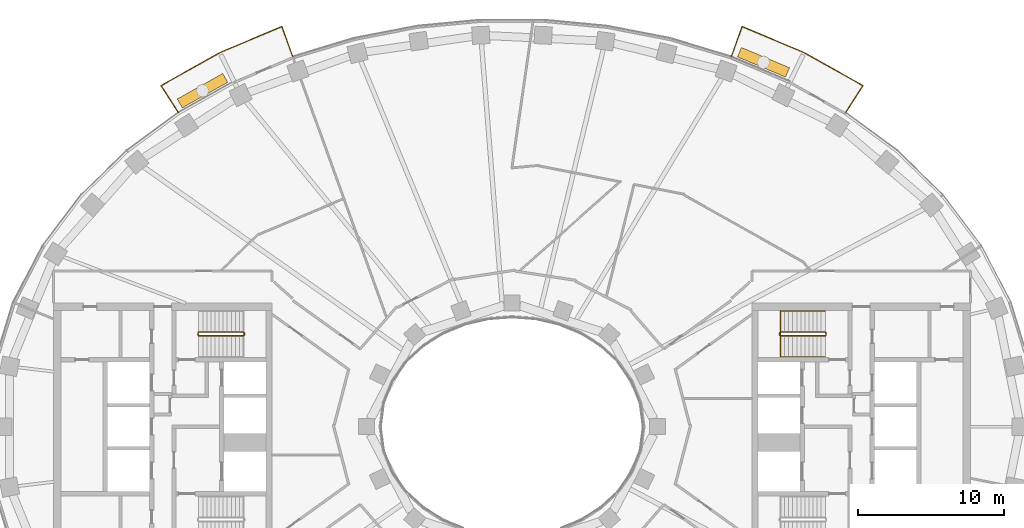
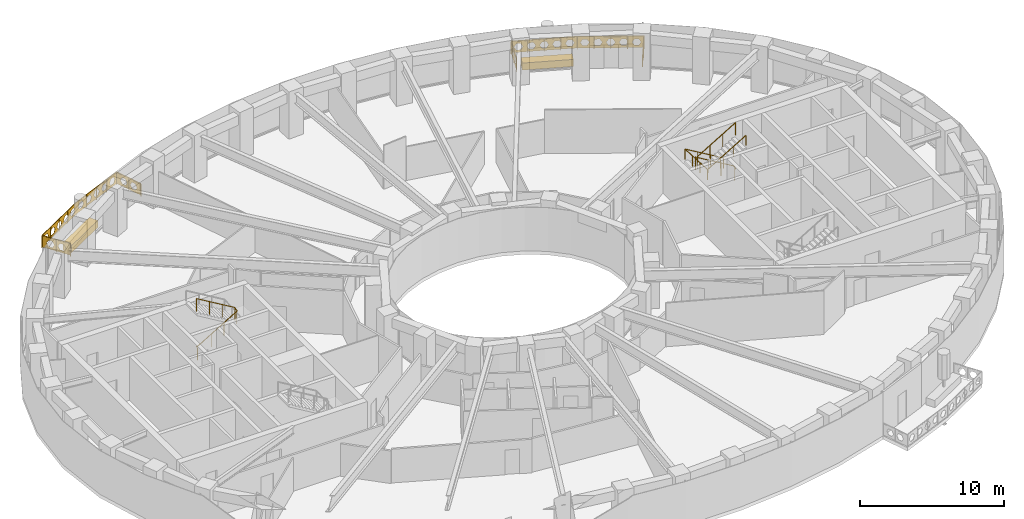
# One storey, part 14 of 15: 5 railings, 2 coverings.
"""IFC4 building model written with IfcOpenShell, lengths in metres."""

from ifc_helpers import new_model, si_unit, direction, frame, origin, origin_2d, place, context, subcontext, project, spatial, polyline, rectangle, outline, extrude, material, type_object, element, save


model = new_model("IFC4")

# Units and contexts
model_context = context("Model", 3, precision=1e-05, world=origin(), true_north=direction((0.0, 1.0)))
body_context = subcontext(model_context, "Body", "Model", "MODEL_VIEW")
ifc_project = project(units=[si_unit("LENGTHUNIT", "METRE"), si_unit("AREAUNIT", "SQUARE_METRE"), si_unit("VOLUMEUNIT", "CUBIC_METRE"), si_unit("PLANEANGLEUNIT", "RADIAN"), si_unit("MASSUNIT", "GRAM", prefix="KILO")], contexts=[model_context])

# Site, building, storey
site_placement = place(None, origin())
site = spatial("IfcSite", under=ifc_project, at=site_placement, CompositionType="ELEMENT")
building_placement = place(site_placement, origin())
building = spatial("IfcBuilding", under=site, at=building_placement, Name="Noorbagh Ring Tower", CompositionType="ELEMENT")
storey_placement = place(building_placement, frame((0.0, 0.0, 170.0)))
storey = spatial("IfcBuildingStorey", under=building, at=storey_placement, Name="L39", CompositionType="ELEMENT", Elevation=170.0)

# Railings
ifc_material_1 = material(Name="Stainless steel", Category="steel")
railing_type_1 = type_object("IfcRailingType", Name="CORE-STAIR-GUARD", PredefinedType="GUARDRAIL", material=ifc_material_1)
railing_1_placement = place(storey_placement, frame((-21.580078125, 6.300048828125, 0.0)))
element("IfcRailing", 1, at=railing_1_placement, inside=storey, type_object=railing_type_1, Name="L39 ST1 stair guard", PredefinedType="GUARDRAIL", context=body_context, shape_type="SweptSolid", body=[
    extrude(rectangle(XDim=0.048095703125, YDim=0.048095703125, at=origin_2d()), frame((0.0, 0.0, 1.076171875), z_axis=(0.0, 1.0, 0.0), x_axis=(-1.0, 0.0, 0.0)), (0.0, 0.0, 1.0), 0.14990234375),
    extrude(rectangle(XDim=0.048095703125, YDim=0.048095703125, at=origin_2d()), frame((0.0, 0.14990234375, 1.076171875), z_axis=(0.188775798145, -0.754182335027, 0.628945707965), x_axis=(0.970072785993, 0.242814311512, 0.0)), (0.0, 0.0, 1.0), 0.26513671875),
    extrude(rectangle(XDim=0.048095703125, YDim=0.048095703125, at=origin_2d()), frame((0.050048828125, -0.050048828125, 1.24267578125), z_axis=(0.859308565015, 0.0, 0.511457515432), x_axis=(0.0, 1.0, 0.0)), (0.0, 0.0, 1.0), 3.58447265625),
    extrude(rectangle(XDim=0.048095703125, YDim=0.048095703125, at=origin_2d()), frame((3.130126953125, -0.050048828125, 3.076171875), z_axis=(0.707106781187, 0.707106781187, 0.0), x_axis=(-0.707106781187, 0.707106781187, 0.0)), (0.0, 0.0, 1.0), 0.07080078125),
    extrude(rectangle(XDim=0.048095703125, YDim=0.048095703125, at=origin_2d()), frame((3.18017578125, 0.0, 3.076171875), z_axis=(0.0, 1.0, 0.0), x_axis=(-1.0, 0.0, 0.0)), (0.0, 0.0, 1.0), 0.14990234375),
    extrude(rectangle(XDim=0.048095703125, YDim=0.048095703125, at=origin_2d()), frame((3.18017578125, 0.14990234375, 3.076171875), z_axis=(-0.27628659633, 0.27628659633, 0.920506074601), x_axis=(-0.707106781187, -0.707106781187, 0.0)), (0.0, 0.0, 1.0), 0.18115234375),
    extrude(rectangle(XDim=0.048095703125, YDim=0.048095703125, at=origin_2d()), frame((3.130126953125, 0.199951171875, 3.24267578125), z_axis=(-0.859308565015, 0.0, 0.511457515432), x_axis=(0.0, -1.0, 0.0)), (0.0, 0.0, 1.0), 3.58447265625),
    extrude(rectangle(XDim=0.0419921875, YDim=0.0419921875, at=origin_2d()), origin(), (0.0, 0.0, 1.0), 1.052001953125),
    extrude(rectangle(XDim=0.0419921875, YDim=0.0419921875, at=origin_2d()), frame((1.07666015625, -0.050048828125, 0.77783203125)), (0.0, 0.0, 1.0), 1.052001953125),
    extrude(rectangle(XDim=0.0419921875, YDim=0.0419921875, at=origin_2d()), frame((2.103515625, -0.050048828125, 1.388916015625)), (0.0, 0.0, 1.0), 1.052001953125),
    extrude(rectangle(XDim=0.0419921875, YDim=0.0419921875, at=origin_2d()), frame((3.130126953125, -0.050048828125, 2.0)), (0.0, 0.0, 1.0), 1.052001953125),
    extrude(rectangle(XDim=0.0419921875, YDim=0.0419921875, at=origin_2d()), frame((3.130126953125, 0.199951171875, 2.166748046875)), (0.0, 0.0, 1.0), 1.052001953125),
    extrude(rectangle(XDim=0.0419921875, YDim=0.0419921875, at=origin_2d()), frame((2.103515625, 0.199951171875, 2.77783203125)), (0.0, 0.0, 1.0), 1.052001953125),
    extrude(rectangle(XDim=0.0419921875, YDim=0.0419921875, at=origin_2d()), frame((1.07666015625, 0.199951171875, 3.388916015625)), (0.0, 0.0, 1.0), 1.052001953125),
    extrude(rectangle(XDim=0.0419921875, YDim=0.0419921875, at=origin_2d()), frame((0.050048828125, 0.199951171875, 4.0)), (0.0, 0.0, 1.0), 1.052001953125),
])
railing_2_placement = place(storey_placement, frame((21.580078125, 6.449951171875, 0.0)))
element("IfcRailing", 2, at=railing_2_placement, inside=storey, type_object=railing_type_1, Name="L39 ST3 stair guard", PredefinedType="GUARDRAIL", context=body_context, shape_type="SweptSolid", body=[
    extrude(rectangle(XDim=0.048095703125, YDim=0.048095703125, at=origin_2d()), frame((0.0, 0.0, 1.076171875), z_axis=(0.0, -1.0, 0.0), x_axis=(1.0, 0.0, 0.0)), (0.0, 0.0, 1.0), 0.14990234375),
    extrude(rectangle(XDim=0.048095703125, YDim=0.048095703125, at=origin_2d()), frame((0.0, -0.14990234375, 1.076171875), z_axis=(-0.188775798145, 0.754182335027, 0.628945707965), x_axis=(-0.970072785993, -0.242814311512, 0.0)), (0.0, 0.0, 1.0), 0.26513671875),
    extrude(rectangle(XDim=0.048095703125, YDim=0.048095703125, at=origin_2d()), frame((-0.050048828125, 0.050048828125, 1.24267578125), z_axis=(-0.859308565015, 0.0, 0.511457515432), x_axis=(0.0, -1.0, 0.0)), (0.0, 0.0, 1.0), 3.58447265625),
    extrude(rectangle(XDim=0.048095703125, YDim=0.048095703125, at=origin_2d()), frame((-3.130126953125, 0.050048828125, 3.076171875), z_axis=(-0.707106781187, -0.707106781187, 0.0), x_axis=(0.707106781187, -0.707106781187, 0.0)), (0.0, 0.0, 1.0), 0.07080078125),
    extrude(rectangle(XDim=0.048095703125, YDim=0.048095703125, at=origin_2d()), frame((-3.18017578125, 0.0, 3.076171875), z_axis=(0.0, -1.0, 0.0), x_axis=(1.0, 0.0, 0.0)), (0.0, 0.0, 1.0), 0.14990234375),
    extrude(rectangle(XDim=0.048095703125, YDim=0.048095703125, at=origin_2d()), frame((-3.18017578125, -0.14990234375, 3.076171875), z_axis=(0.27628659633, -0.27628659633, 0.920506074601), x_axis=(0.707106781187, 0.707106781187, 0.0)), (0.0, 0.0, 1.0), 0.18115234375),
    extrude(rectangle(XDim=0.048095703125, YDim=0.048095703125, at=origin_2d()), frame((-3.130126953125, -0.199951171875, 3.24267578125), z_axis=(0.859308565015, 0.0, 0.511457515432), x_axis=(0.0, 1.0, 0.0)), (0.0, 0.0, 1.0), 3.58447265625),
    extrude(rectangle(XDim=0.0419921875, YDim=0.0419921875, at=origin_2d()), origin(), (0.0, 0.0, 1.0), 1.052001953125),
    extrude(rectangle(XDim=0.0419921875, YDim=0.0419921875, at=origin_2d()), frame((-1.07666015625, 0.050048828125, 0.77783203125)), (0.0, 0.0, 1.0), 1.052001953125),
    extrude(rectangle(XDim=0.0419921875, YDim=0.0419921875, at=origin_2d()), frame((-2.103515625, 0.050048828125, 1.388916015625)), (0.0, 0.0, 1.0), 1.052001953125),
    extrude(rectangle(XDim=0.0419921875, YDim=0.0419921875, at=origin_2d()), frame((-3.130126953125, 0.050048828125, 2.0)), (0.0, 0.0, 1.0), 1.052001953125),
    extrude(rectangle(XDim=0.0419921875, YDim=0.0419921875, at=origin_2d()), frame((-3.130126953125, -0.199951171875, 2.166748046875)), (0.0, 0.0, 1.0), 1.052001953125),
    extrude(rectangle(XDim=0.0419921875, YDim=0.0419921875, at=origin_2d()), frame((-2.103515625, -0.199951171875, 2.77783203125)), (0.0, 0.0, 1.0), 1.052001953125),
    extrude(rectangle(XDim=0.0419921875, YDim=0.0419921875, at=origin_2d()), frame((-1.07666015625, -0.199951171875, 3.388916015625)), (0.0, 0.0, 1.0), 1.052001953125),
    extrude(rectangle(XDim=0.0419921875, YDim=0.0419921875, at=origin_2d()), frame((-0.050048828125, -0.199951171875, 4.0)), (0.0, 0.0, 1.0), 1.052001953125),
])
ifc_material_2 = material(Name="Stainless steel", Category="steel")
railing_type_2 = type_object("IfcRailingType", Name="CORE-STAIR-HANDRAIL", PredefinedType="HANDRAIL", material=ifc_material_2)
railing_3_placement = place(storey_placement, frame((21.530029296875, 7.949951171875, 0.166748046875)))
element("IfcRailing", 3, at=railing_3_placement, inside=storey, type_object=railing_type_2, Name="L39 ST3 stair handrail", PredefinedType="HANDRAIL", context=body_context, shape_type="SweptSolid", body=[
    extrude(rectangle(XDim=0.048095703125, YDim=0.048095703125, at=origin_2d()), frame((0.0, 0.0, 0.8759765625), z_axis=(-0.859308565015, 0.0, 0.511457515432), x_axis=(0.0, -1.0, 0.0)), (0.0, 0.0, 1.0), 3.58447265625),
    extrude(rectangle(XDim=0.048095703125, YDim=0.048095703125, at=origin_2d()), frame((-3.080078125, 0.0, 2.708984375), z_axis=(0.0, -0.998601747152, 0.052863509014), x_axis=(1.0, 0.0, 0.0)), (0.0, 0.0, 1.0), 3.154296875),
    extrude(rectangle(XDim=0.048095703125, YDim=0.048095703125, at=origin_2d()), frame((-3.080078125, -3.14990234375, 2.8759765625), z_axis=(0.859308565015, 0.0, 0.511457515432), x_axis=(0.0, 1.0, 0.0)), (0.0, 0.0, 1.0), 3.58447265625),
    extrude(rectangle(XDim=0.0419921875, YDim=0.0419921875, at=origin_2d()), origin(), (0.0, 0.0, 1.0), 0.851806640625),
    extrude(rectangle(XDim=0.0419921875, YDim=0.0419921875, at=origin_2d()), frame((-1.026611328125, 0.0, 0.611083984375)), (0.0, 0.0, 1.0), 0.851806640625),
    extrude(rectangle(XDim=0.0419921875, YDim=0.0419921875, at=origin_2d()), frame((-2.053466796875, 0.0, 1.22216796875)), (0.0, 0.0, 1.0), 0.851806640625),
    extrude(rectangle(XDim=0.0419921875, YDim=0.0419921875, at=origin_2d()), frame((-3.080078125, 0.0, 1.833251953125)), (0.0, 0.0, 1.0), 0.851806640625),
    extrude(rectangle(XDim=0.0419921875, YDim=0.0419921875, at=origin_2d()), frame((-3.080078125, -1.050048828125, 1.888916015625)), (0.0, 0.0, 1.0), 0.851806640625),
    extrude(rectangle(XDim=0.0419921875, YDim=0.0419921875, at=origin_2d()), frame((-3.080078125, -2.099853515625, 1.9443359375)), (0.0, 0.0, 1.0), 0.851806640625),
    extrude(rectangle(XDim=0.0419921875, YDim=0.0419921875, at=origin_2d()), frame((-3.080078125, -3.14990234375, 2.0)), (0.0, 0.0, 1.0), 0.851806640625),
    extrude(rectangle(XDim=0.0419921875, YDim=0.0419921875, at=origin_2d()), frame((-2.053466796875, -3.14990234375, 2.611083984375)), (0.0, 0.0, 1.0), 0.851806640625),
    extrude(rectangle(XDim=0.0419921875, YDim=0.0419921875, at=origin_2d()), frame((-1.026611328125, -3.14990234375, 3.22216796875)), (0.0, 0.0, 1.0), 0.851806640625),
    extrude(rectangle(XDim=0.0419921875, YDim=0.0419921875, at=origin_2d()), frame((0.0, -3.14990234375, 3.833251953125)), (0.0, 0.0, 1.0), 0.851806640625),
])
ifc_material_3 = material(Name="Steel S275 black powder-coated", Category="steel")
railing_type_3 = type_object("IfcRailingType", Name="ENV-GUARD", PredefinedType="GUARDRAIL", material=ifc_material_3)
railing_4_placement = place(storey_placement, frame((22.9326171875, 21.583740234375, 0.0)))
element("IfcRailing", 4, at=railing_4_placement, inside=storey, type_object=railing_type_3, Name="Balcony guard BN02", PredefinedType="GUARDRAIL", context=body_context, shape_type="SweptSolid", body=[
    extrude(rectangle(XDim=0.048095703125, YDim=0.048095703125, at=origin_2d()), frame((0.0, 0.0, 1.076171875), z_axis=(0.542268136821, 0.840205491406, 0.0), x_axis=(-0.840205491406, 0.542268136821, 0.0)), (0.0, 0.0, 1.0), 2.204345703125),
    extrude(rectangle(XDim=0.048095703125, YDim=0.048095703125, at=origin_2d()), frame((1.1953125, 1.85205078125, 1.076171875), z_axis=(-0.872052247658, 0.489412788303, 0.0), x_axis=(-0.489412788303, -0.872052247658, 0.0)), (0.0, 0.0, 1.0), 4.646240234375),
    extrude(rectangle(XDim=0.048095703125, YDim=0.048095703125, at=origin_2d()), frame((-2.8564453125, 4.1259765625, 1.076171875), z_axis=(-0.921809087722, 0.387644174203, 0.0), x_axis=(-0.387644174203, -0.921809087722, 0.0)), (0.0, 0.0, 1.0), 4.627197265625),
    extrude(rectangle(XDim=0.048095703125, YDim=0.048095703125, at=origin_2d()), frame((-7.121826171875, 5.919677734375, 1.076171875), z_axis=(-0.338350546839, -0.941020141896, 0.0), x_axis=(0.941020141896, -0.338350546839, 0.0)), (0.0, 0.0, 1.0), 2.202880859375),
    extrude(rectangle(XDim=0.0419921875, YDim=0.0419921875, at=origin_2d()), origin(), (0.0, 0.0, 1.0), 1.052001953125),
    extrude(rectangle(XDim=0.0419921875, YDim=0.0419921875, at=origin_2d()), frame((0.59765625, 0.926025390625, 0.0)), (0.0, 0.0, 1.0), 1.052001953125),
    extrude(rectangle(XDim=0.0419921875, YDim=0.0419921875, at=origin_2d()), frame((1.1953125, 1.85205078125, 0.0)), (0.0, 0.0, 1.0), 1.052001953125),
    extrude(rectangle(XDim=0.0419921875, YDim=0.0419921875, at=origin_2d()), frame((0.182373046875, 2.42041015625, 0.0)), (0.0, 0.0, 1.0), 1.052001953125),
    extrude(rectangle(XDim=0.0419921875, YDim=0.0419921875, at=origin_2d()), frame((-0.83056640625, 2.989013671875, 0.0)), (0.0, 0.0, 1.0), 1.052001953125),
    extrude(rectangle(XDim=0.0419921875, YDim=0.0419921875, at=origin_2d()), frame((-1.843505859375, 3.5576171875, 0.0)), (0.0, 0.0, 1.0), 1.052001953125),
    extrude(rectangle(XDim=0.0419921875, YDim=0.0419921875, at=origin_2d()), frame((-2.8564453125, 4.1259765625, 0.0)), (0.0, 0.0, 1.0), 1.052001953125),
    extrude(rectangle(XDim=0.0419921875, YDim=0.0419921875, at=origin_2d()), frame((-3.9228515625, 4.574462890625, 0.0)), (0.0, 0.0, 1.0), 1.052001953125),
    extrude(rectangle(XDim=0.0419921875, YDim=0.0419921875, at=origin_2d()), frame((-4.9892578125, 5.02294921875, 0.0)), (0.0, 0.0, 1.0), 1.052001953125),
    extrude(rectangle(XDim=0.0419921875, YDim=0.0419921875, at=origin_2d()), frame((-6.055419921875, 5.47119140625, 0.0)), (0.0, 0.0, 1.0), 1.052001953125),
    extrude(rectangle(XDim=0.0419921875, YDim=0.0419921875, at=origin_2d()), frame((-7.121826171875, 5.919677734375, 0.0)), (0.0, 0.0, 1.0), 1.052001953125),
    extrude(rectangle(XDim=0.0419921875, YDim=0.0419921875, at=origin_2d()), frame((-7.49462890625, 4.88330078125, 0.0)), (0.0, 0.0, 1.0), 1.052001953125),
    extrude(rectangle(XDim=0.0419921875, YDim=0.0419921875, at=origin_2d()), frame((-7.8671875, 3.8466796875, 0.0)), (0.0, 0.0, 1.0), 1.052001953125),
    extrude(outline(polyline([(0.0, 0.10009765625), (2.204345703125, 0.10009765625), (2.204345703125, 1.031982421875), (0.0, 1.031982421875), (0.0, 0.10009765625)]), holes=[polyline([(0.962158203125, 0.56591796875), (0.80712890625, 0.83447265625), (0.4970703125, 0.83447265625), (0.342041015625, 0.56591796875), (0.4970703125, 0.297607421875), (0.80712890625, 0.297607421875), (0.962158203125, 0.56591796875)]), polyline([(1.862060546875, 0.56591796875), (1.70703125, 0.83447265625), (1.397216796875, 0.83447265625), (1.2421875, 0.56591796875), (1.397216796875, 0.297607421875), (1.70703125, 0.297607421875), (1.862060546875, 0.56591796875)])]), frame((-0.00830078125, 0.00537109375, 0.0), z_axis=(0.840205491406, -0.542268136821, 0.0), x_axis=(0.542268136821, 0.840205491406, 0.0)), (0.0, 0.0, 1.0), 0.02001953125),
    extrude(outline(polyline([(0.0, 0.10009765625), (4.646240234375, 0.10009765625), (4.646240234375, 1.031982421875), (0.0, 1.031982421875), (0.0, 0.10009765625)]), holes=[polyline([(0.8330078125, 0.56591796875), (0.67822265625, 0.83447265625), (0.3681640625, 0.83447265625), (0.213134765625, 0.56591796875), (0.3681640625, 0.297607421875), (0.67822265625, 0.297607421875), (0.8330078125, 0.56591796875)]), polyline([(1.733154296875, 0.56591796875), (1.578125, 0.83447265625), (1.26806640625, 0.83447265625), (1.113037109375, 0.56591796875), (1.26806640625, 0.297607421875), (1.578125, 0.297607421875), (1.733154296875, 0.56591796875)]), polyline([(2.633056640625, 0.56591796875), (2.47802734375, 0.83447265625), (2.168212890625, 0.83447265625), (2.01318359375, 0.56591796875), (2.168212890625, 0.297607421875), (2.47802734375, 0.297607421875), (2.633056640625, 0.56591796875)]), polyline([(3.533203125, 0.56591796875), (3.378173828125, 0.83447265625), (3.068115234375, 0.83447265625), (2.9130859375, 0.56591796875), (3.068115234375, 0.297607421875), (3.378173828125, 0.297607421875), (3.533203125, 0.56591796875)]), polyline([(4.43310546875, 0.56591796875), (4.278076171875, 0.83447265625), (3.968017578125, 0.83447265625), (3.813232421875, 0.56591796875), (3.968017578125, 0.297607421875), (4.278076171875, 0.297607421875), (4.43310546875, 0.56591796875)])]), frame((1.1904296875, 1.84326171875, 0.0), z_axis=(0.489412788303, 0.872052247658, 0.0), x_axis=(-0.872052247658, 0.489412788303, 0.0)), (0.0, 0.0, 1.0), 0.02001953125),
    extrude(outline(polyline([(0.0, 0.10009765625), (4.627197265625, 0.10009765625), (4.627197265625, 1.031982421875), (0.0, 1.031982421875), (0.0, 0.10009765625)]), holes=[polyline([(0.823486328125, 0.56591796875), (0.668701171875, 0.83447265625), (0.358642578125, 0.83447265625), (0.20361328125, 0.56591796875), (0.358642578125, 0.297607421875), (0.668701171875, 0.297607421875), (0.823486328125, 0.56591796875)]), polyline([(1.7236328125, 0.56591796875), (1.568603515625, 0.83447265625), (1.258544921875, 0.83447265625), (1.103515625, 0.56591796875), (1.258544921875, 0.297607421875), (1.568603515625, 0.297607421875), (1.7236328125, 0.56591796875)]), polyline([(2.62353515625, 0.56591796875), (2.468505859375, 0.83447265625), (2.15869140625, 0.83447265625), (2.003662109375, 0.56591796875), (2.15869140625, 0.297607421875), (2.468505859375, 0.297607421875), (2.62353515625, 0.56591796875)]), polyline([(3.523681640625, 0.56591796875), (3.36865234375, 0.83447265625), (3.05859375, 0.83447265625), (2.903564453125, 0.56591796875), (3.05859375, 0.297607421875), (3.36865234375, 0.297607421875), (3.523681640625, 0.56591796875)]), polyline([(4.423583984375, 0.56591796875), (4.2685546875, 0.83447265625), (3.95849609375, 0.83447265625), (3.8037109375, 0.56591796875), (3.95849609375, 0.297607421875), (4.2685546875, 0.297607421875), (4.423583984375, 0.56591796875)])]), frame((-2.8603515625, 4.11669921875, 0.0), z_axis=(0.387644174203, 0.921809087722, 0.0), x_axis=(-0.921809087722, 0.387644174203, 0.0)), (0.0, 0.0, 1.0), 0.02001953125),
    extrude(outline(polyline([(0.0, 0.10009765625), (2.202880859375, 0.10009765625), (2.202880859375, 1.031982421875), (0.0, 1.031982421875), (0.0, 0.10009765625)]), holes=[polyline([(0.96142578125, 0.56591796875), (0.806396484375, 0.83447265625), (0.49658203125, 0.83447265625), (0.341552734375, 0.56591796875), (0.49658203125, 0.297607421875), (0.806396484375, 0.297607421875), (0.96142578125, 0.56591796875)]), polyline([(1.861572265625, 0.56591796875), (1.70654296875, 0.83447265625), (1.396484375, 0.83447265625), (1.241455078125, 0.56591796875), (1.396484375, 0.297607421875), (1.70654296875, 0.297607421875), (1.861572265625, 0.56591796875)])]), frame((-7.1123046875, 5.916259765625, 0.0), z_axis=(-0.941020141896, 0.338350546839, 0.0), x_axis=(-0.338350546839, -0.941020141896, 0.0)), (0.0, 0.0, 1.0), 0.02001953125),
])
railing_5_placement = place(storey_placement, frame((-15.0654296875, 25.430419921875, 0.0)))
element("IfcRailing", 5, at=railing_5_placement, inside=storey, type_object=railing_type_3, Name="Balcony guard BN05", PredefinedType="GUARDRAIL", context=body_context, shape_type="SweptSolid", body=[
    extrude(rectangle(XDim=0.048095703125, YDim=0.048095703125, at=origin_2d()), frame((0.0, 0.0, 1.076171875), z_axis=(-0.338350546839, 0.941020141896, 0.0), x_axis=(-0.941020141896, -0.338350546839, 0.0)), (0.0, 0.0, 1.0), 2.202880859375),
    extrude(rectangle(XDim=0.048095703125, YDim=0.048095703125, at=origin_2d()), frame((-0.745361328125, 2.072998046875, 1.076171875), z_axis=(-0.921809087722, -0.387644174203, 0.0), x_axis=(0.387644174203, -0.921809087722, 0.0)), (0.0, 0.0, 1.0), 4.627197265625),
    extrude(rectangle(XDim=0.048095703125, YDim=0.048095703125, at=origin_2d()), frame((-5.0107421875, 0.279296875, 1.076171875), z_axis=(-0.872052247658, -0.489412788303, 0.0), x_axis=(0.489412788303, -0.872052247658, 0.0)), (0.0, 0.0, 1.0), 4.646240234375),
    extrude(rectangle(XDim=0.048095703125, YDim=0.048095703125, at=origin_2d()), frame((-9.0625, -1.99462890625, 1.076171875), z_axis=(0.542268136821, -0.840205491406, 0.0), x_axis=(0.840205491406, 0.542268136821, 0.0)), (0.0, 0.0, 1.0), 2.204345703125),
    extrude(rectangle(XDim=0.0419921875, YDim=0.0419921875, at=origin_2d()), origin(), (0.0, 0.0, 1.0), 1.052001953125),
    extrude(rectangle(XDim=0.0419921875, YDim=0.0419921875, at=origin_2d()), frame((-0.37255859375, 1.03662109375, 0.0)), (0.0, 0.0, 1.0), 1.052001953125),
    extrude(rectangle(XDim=0.0419921875, YDim=0.0419921875, at=origin_2d()), frame((-0.745361328125, 2.072998046875, 0.0)), (0.0, 0.0, 1.0), 1.052001953125),
    extrude(rectangle(XDim=0.0419921875, YDim=0.0419921875, at=origin_2d()), frame((-1.811767578125, 1.62451171875, 0.0)), (0.0, 0.0, 1.0), 1.052001953125),
    extrude(rectangle(XDim=0.0419921875, YDim=0.0419921875, at=origin_2d()), frame((-2.8779296875, 1.17626953125, 0.0)), (0.0, 0.0, 1.0), 1.052001953125),
    extrude(rectangle(XDim=0.0419921875, YDim=0.0419921875, at=origin_2d()), frame((-3.9443359375, 0.727783203125, 0.0)), (0.0, 0.0, 1.0), 1.052001953125),
    extrude(rectangle(XDim=0.0419921875, YDim=0.0419921875, at=origin_2d()), frame((-5.0107421875, 0.279296875, 0.0)), (0.0, 0.0, 1.0), 1.052001953125),
    extrude(rectangle(XDim=0.0419921875, YDim=0.0419921875, at=origin_2d()), frame((-6.023681640625, -0.2890625, 0.0)), (0.0, 0.0, 1.0), 1.052001953125),
    extrude(rectangle(XDim=0.0419921875, YDim=0.0419921875, at=origin_2d()), frame((-7.03662109375, -0.857666015625, 0.0)), (0.0, 0.0, 1.0), 1.052001953125),
    extrude(rectangle(XDim=0.0419921875, YDim=0.0419921875, at=origin_2d()), frame((-8.049560546875, -1.42626953125, 0.0)), (0.0, 0.0, 1.0), 1.052001953125),
    extrude(rectangle(XDim=0.0419921875, YDim=0.0419921875, at=origin_2d()), frame((-9.0625, -1.99462890625, 0.0)), (0.0, 0.0, 1.0), 1.052001953125),
    extrude(rectangle(XDim=0.0419921875, YDim=0.0419921875, at=origin_2d()), frame((-8.46484375, -2.920654296875, 0.0)), (0.0, 0.0, 1.0), 1.052001953125),
    extrude(rectangle(XDim=0.0419921875, YDim=0.0419921875, at=origin_2d()), frame((-7.8671875, -3.8466796875, 0.0)), (0.0, 0.0, 1.0), 1.052001953125),
    extrude(outline(polyline([(0.0, 0.10009765625), (2.202880859375, 0.10009765625), (2.202880859375, 1.031982421875), (0.0, 1.031982421875), (0.0, 0.10009765625)]), holes=[polyline([(0.96142578125, 0.56591796875), (0.806396484375, 0.83447265625), (0.49658203125, 0.83447265625), (0.341552734375, 0.56591796875), (0.49658203125, 0.297607421875), (0.806396484375, 0.297607421875), (0.96142578125, 0.56591796875)]), polyline([(1.861572265625, 0.56591796875), (1.70654296875, 0.83447265625), (1.396484375, 0.83447265625), (1.241455078125, 0.56591796875), (1.396484375, 0.297607421875), (1.70654296875, 0.297607421875), (1.861572265625, 0.56591796875)])]), frame((-0.009521484375, -0.00341796875, 0.0), z_axis=(0.941020141896, 0.338350546839, 0.0), x_axis=(-0.338350546839, 0.941020141896, 0.0)), (0.0, 0.0, 1.0), 0.02001953125),
    extrude(outline(polyline([(0.0, 0.10009765625), (4.627197265625, 0.10009765625), (4.627197265625, 1.031982421875), (0.0, 1.031982421875), (0.0, 0.10009765625)]), holes=[polyline([(0.823486328125, 0.56591796875), (0.668701171875, 0.83447265625), (0.358642578125, 0.83447265625), (0.20361328125, 0.56591796875), (0.358642578125, 0.297607421875), (0.668701171875, 0.297607421875), (0.823486328125, 0.56591796875)]), polyline([(1.7236328125, 0.56591796875), (1.568603515625, 0.83447265625), (1.258544921875, 0.83447265625), (1.103515625, 0.56591796875), (1.258544921875, 0.297607421875), (1.568603515625, 0.297607421875), (1.7236328125, 0.56591796875)]), polyline([(2.62353515625, 0.56591796875), (2.468505859375, 0.83447265625), (2.15869140625, 0.83447265625), (2.003662109375, 0.56591796875), (2.15869140625, 0.297607421875), (2.468505859375, 0.297607421875), (2.62353515625, 0.56591796875)]), polyline([(3.523681640625, 0.56591796875), (3.36865234375, 0.83447265625), (3.05859375, 0.83447265625), (2.903564453125, 0.56591796875), (3.05859375, 0.297607421875), (3.36865234375, 0.297607421875), (3.523681640625, 0.56591796875)]), polyline([(4.423583984375, 0.56591796875), (4.2685546875, 0.83447265625), (3.95849609375, 0.83447265625), (3.8037109375, 0.56591796875), (3.95849609375, 0.297607421875), (4.2685546875, 0.297607421875), (4.423583984375, 0.56591796875)])]), frame((-0.741455078125, 2.063720703125, 0.0), z_axis=(-0.387644174203, 0.921809087722, 0.0), x_axis=(-0.921809087722, -0.387644174203, 0.0)), (0.0, 0.0, 1.0), 0.02001953125),
    extrude(outline(polyline([(0.0, 0.10009765625), (4.646240234375, 0.10009765625), (4.646240234375, 1.031982421875), (0.0, 1.031982421875), (0.0, 0.10009765625)]), holes=[polyline([(0.8330078125, 0.56591796875), (0.67822265625, 0.83447265625), (0.3681640625, 0.83447265625), (0.213134765625, 0.56591796875), (0.3681640625, 0.297607421875), (0.67822265625, 0.297607421875), (0.8330078125, 0.56591796875)]), polyline([(1.733154296875, 0.56591796875), (1.578125, 0.83447265625), (1.26806640625, 0.83447265625), (1.113037109375, 0.56591796875), (1.26806640625, 0.297607421875), (1.578125, 0.297607421875), (1.733154296875, 0.56591796875)]), polyline([(2.633056640625, 0.56591796875), (2.47802734375, 0.83447265625), (2.168212890625, 0.83447265625), (2.01318359375, 0.56591796875), (2.168212890625, 0.297607421875), (2.47802734375, 0.297607421875), (2.633056640625, 0.56591796875)]), polyline([(3.533203125, 0.56591796875), (3.378173828125, 0.83447265625), (3.068115234375, 0.83447265625), (2.9130859375, 0.56591796875), (3.068115234375, 0.297607421875), (3.378173828125, 0.297607421875), (3.533203125, 0.56591796875)]), polyline([(4.43310546875, 0.56591796875), (4.278076171875, 0.83447265625), (3.968017578125, 0.83447265625), (3.813232421875, 0.56591796875), (3.968017578125, 0.297607421875), (4.278076171875, 0.297607421875), (4.43310546875, 0.56591796875)])]), frame((-5.005859375, 0.2705078125, 0.0), z_axis=(-0.489412788303, 0.872052247658, 0.0), x_axis=(-0.872052247658, -0.489412788303, 0.0)), (0.0, 0.0, 1.0), 0.02001953125),
    extrude(outline(polyline([(0.0, 0.10009765625), (2.204345703125, 0.10009765625), (2.204345703125, 1.031982421875), (0.0, 1.031982421875), (0.0, 0.10009765625)]), holes=[polyline([(0.962158203125, 0.56591796875), (0.80712890625, 0.83447265625), (0.4970703125, 0.83447265625), (0.342041015625, 0.56591796875), (0.4970703125, 0.297607421875), (0.80712890625, 0.297607421875), (0.962158203125, 0.56591796875)]), polyline([(1.862060546875, 0.56591796875), (1.70703125, 0.83447265625), (1.397216796875, 0.83447265625), (1.2421875, 0.56591796875), (1.397216796875, 0.297607421875), (1.70703125, 0.297607421875), (1.862060546875, 0.56591796875)])]), frame((-9.05419921875, -1.9892578125, 0.0), z_axis=(-0.840205491406, -0.542268136821, 0.0), x_axis=(0.542268136821, -0.840205491406, 0.0)), (0.0, 0.0, 1.0), 0.02001953125),
])

# Coverings
ifc_material_4 = material(Name="Concrete C30/37 planter with soil", Category="concrete")
covering_type = type_object("IfcCoveringType", Name="ENV-PLANTER", PredefinedType="CLADDING", material=ifc_material_4)
covering_1_placement = place(storey_placement, frame((17.280517578125, 25.041259765625, 0.0), z_axis=(0.0, 0.0, 1.0), x_axis=(-0.921811566494, 0.387638279686, 0.0)))
element("IfcCovering", 6, at=covering_1_placement, inside=storey, type_object=covering_type, Name="PLANTER BN02", ObjectType="PLANTER", PredefinedType="CLADDING", context=body_context, shape_type="SweptSolid", body=[
    extrude(rectangle(XDim=3.5859375, YDim=0.699951171875, at=origin_2d()), origin(), (0.0, 0.0, 1.0), 0.60009765625),
])
covering_2_placement = place(storey_placement, frame((-21.26513671875, 23.093017578125, 0.0), z_axis=(0.0, 0.0, 1.0), x_axis=(-0.872044586249, -0.48942643941, 0.0)))
element("IfcCovering", 7, at=covering_2_placement, inside=storey, type_object=covering_type, Name="PLANTER BN05", ObjectType="PLANTER", PredefinedType="CLADDING", context=body_context, shape_type="SweptSolid", body=[
    extrude(rectangle(XDim=3.58544921875, YDim=0.699951171875, at=origin_2d()), origin(), (0.0, 0.0, 1.0), 0.60009765625),
])

save(model, "model.ifc")
